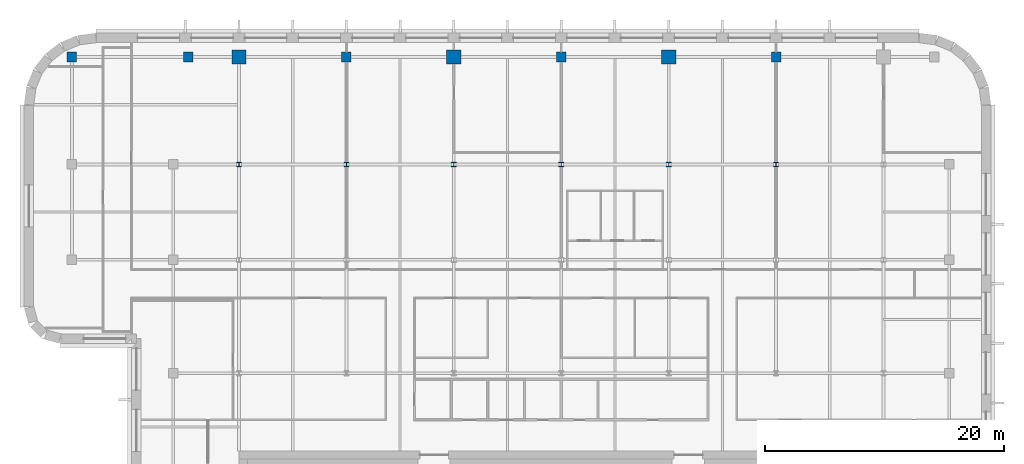
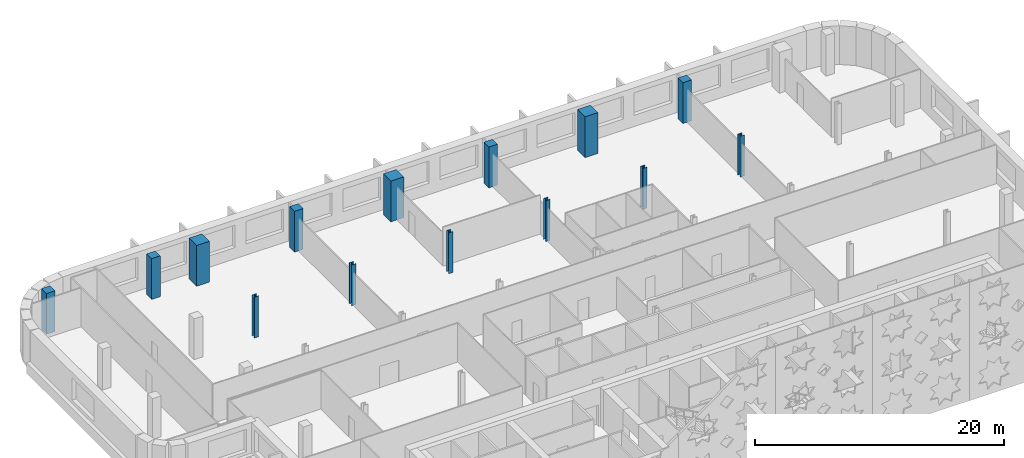
# One storey, part 3 of 17: 14 columns.
"""IFC4 building model written with IfcOpenShell, lengths in metres."""

from ifc_helpers import new_model, si_unit, direction, frame, origin, origin_2d, place, context, subcontext, project, spatial, rectangle, i_section, extrude, material, material_profile, profile_set, type_object, element, save


model = new_model("IFC4")

# Units and contexts
model_context = context("Model", 3, precision=1e-05, world=origin(), true_north=direction((0.0, 1.0)))
body_context = subcontext(model_context, "Body", "Model", "MODEL_VIEW")
ifc_project = project(units=[si_unit("LENGTHUNIT", "METRE"), si_unit("AREAUNIT", "SQUARE_METRE"), si_unit("VOLUMEUNIT", "CUBIC_METRE"), si_unit("PLANEANGLEUNIT", "RADIAN"), si_unit("MASSUNIT", "GRAM", prefix="KILO")], contexts=[model_context])

# Site, building, storey
site_placement = place(None, origin())
site = spatial("IfcSite", under=ifc_project, at=site_placement, CompositionType="ELEMENT")
building_placement = place(site_placement, origin())
building = spatial("IfcBuilding", under=site, at=building_placement, Name="Zellij Exchange Tower", CompositionType="ELEMENT")
storey_placement = place(building_placement, frame((0.0, 0.0, 252.5)))
storey = spatial("IfcBuildingStorey", under=building, at=storey_placement, Name="L59", CompositionType="ELEMENT", Elevation=252.5)

# Columns
ifc_material_1 = material(Name="Concrete C50/60", Category="concrete")
ifc_material_profile_1 = material_profile(ifc_material_1, rectangle(XDim=0.800048828125, YDim=0.800048828125, at=origin_2d()), Name="STR-COLUMN RC800x800 C50/60")
ifc_profile_set_1 = profile_set([ifc_material_profile_1], Name="Concrete C50/60")
column_type_1 = type_object("IfcColumnType", Name="STR-COLUMN RC800x800 C50/60", PredefinedType="COLUMN", material=ifc_profile_set_1)
for number, where, z_axis, x_axis, name in (
    (1, (-41.0, 31.0, 0.0), (0.0, 0.0, 1.0), (1.0, 0.0, 0.0), "C15"),
    (2, (-31.25, 31.0, 0.0), (0.0, 0.0, 1.0), (1.0, 0.0, 0.0), "C15"),
    (3, (-18.0, 31.0, 0.0), (0.0, 0.0, 1.0), (1.0, 0.0, 0.0), "C15"),
    (4, (0.0, 31.0, 0.0), (0.0, 0.0, 1.0), (1.0, 0.0, 0.0), "C15"),
    (5, (18.0, 31.0, 0.0), (0.0, 0.0, 1.0), (1.0, 0.0, 0.0), "C15"),
):
    element("IfcColumn", number, at=place(storey_placement, frame(where, z_axis=z_axis, x_axis=x_axis)), inside=storey, type_object=column_type_1, Name=name, PredefinedType="COLUMN", context=body_context, shape_type="SweptSolid", body=[
        extrude(rectangle(XDim=0.800048828125, YDim=0.800048828125, at=origin_2d()), origin(), (0.0, 0.0, 1.0), 4.0),
    ])
ifc_material_2 = material(Name="Structural steel ASTM A992 Gr 50", Category="steel")
ifc_material_profile_2 = material_profile(ifc_material_2, i_section(OverallWidth=0.398681640625, OverallDepth=0.385986328125, WebThickness=0.02099609375, FlangeThickness=0.033203125, at=origin_2d()), Name="W14x176")
ifc_profile_set_2 = profile_set([ifc_material_profile_2], Name="Structural steel ASTM A992 Gr 50")
column_type_2 = type_object("IfcColumnType", Name="STR-COLUMN W14x176", PredefinedType="COLUMN", material=ifc_profile_set_2)
for number, where, z_axis, x_axis, name in (
    (6, (-27.0, 22.0, 0.0), (0.0, 0.0, 1.0), (1.0, 0.0, 0.0), "C2"),
    (7, (-18.0, 22.0, 0.0), (0.0, 0.0, 1.0), (1.0, 0.0, 0.0), "C2"),
    (8, (-9.0, 22.0, 0.0), (0.0, 0.0, 1.0), (1.0, 0.0, 0.0), "C2"),
    (9, (0.0, 22.0, 0.0), (0.0, 0.0, 1.0), (1.0, 0.0, 0.0), "C2"),
    (10, (9.0, 22.0, 0.0), (0.0, 0.0, 1.0), (1.0, 0.0, 0.0), "C2"),
    (11, (18.0, 22.0, 0.0), (0.0, 0.0, 1.0), (1.0, 0.0, 0.0), "C2"),
):
    element("IfcColumn", number, at=place(storey_placement, frame(where, z_axis=z_axis, x_axis=x_axis)), inside=storey, type_object=column_type_2, Name=name, PredefinedType="COLUMN", context=body_context, shape_type="SweptSolid", body=[
        extrude(i_section(OverallWidth=0.398681640625, OverallDepth=0.385986328125, WebThickness=0.02099609375, FlangeThickness=0.033203125, at=origin_2d()), origin(), (0.0, 0.0, 1.0), 4.0),
    ])
ifc_material_profile_3 = material_profile(ifc_material_1, rectangle(XDim=1.199951171875, YDim=1.199951171875, at=origin_2d()), Name="STR-MEGA COLUMN RC1200x1200 C50/60")
ifc_profile_set_3 = profile_set([ifc_material_profile_3], Name="Concrete C50/60")
column_type_3 = type_object("IfcColumnType", Name="STR-MEGA COLUMN RC1200x1200 C50/60", PredefinedType="COLUMN", material=ifc_profile_set_3)
for number, where, z_axis, x_axis, name in (
    (12, (-27.0, 31.0, 0.0), (0.0, 0.0, 1.0), (1.0, 0.0, 0.0), "MC2"),
    (13, (-9.0, 31.0, 0.0), (0.0, 0.0, 1.0), (1.0, 0.0, 0.0), "MC2"),
    (14, (9.0, 31.0, 0.0), (0.0, 0.0, 1.0), (1.0, 0.0, 0.0), "MC2"),
):
    element("IfcColumn", number, at=place(storey_placement, frame(where, z_axis=z_axis, x_axis=x_axis)), inside=storey, type_object=column_type_3, Name=name, PredefinedType="COLUMN", context=body_context, shape_type="SweptSolid", body=[
        extrude(rectangle(XDim=1.199951171875, YDim=1.199951171875, at=origin_2d()), origin(), (0.0, 0.0, 1.0), 4.0),
    ])

save(model, "model.ifc")
